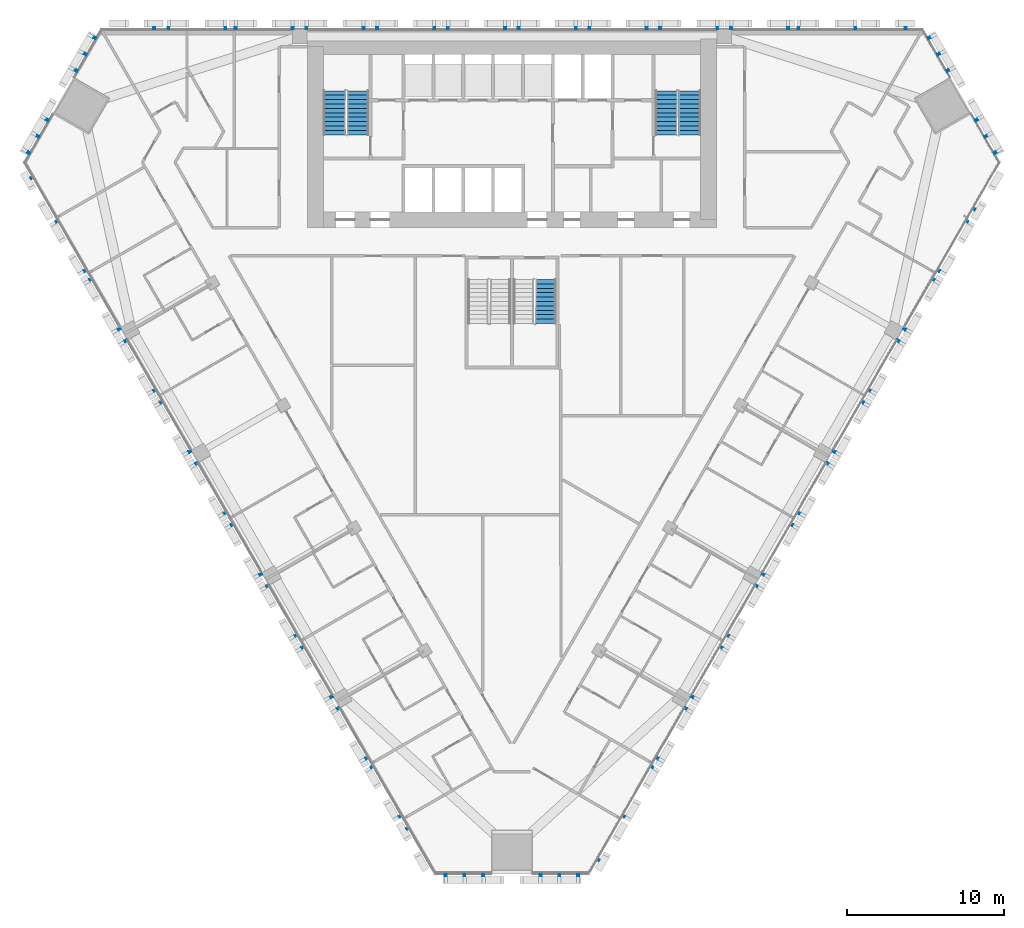
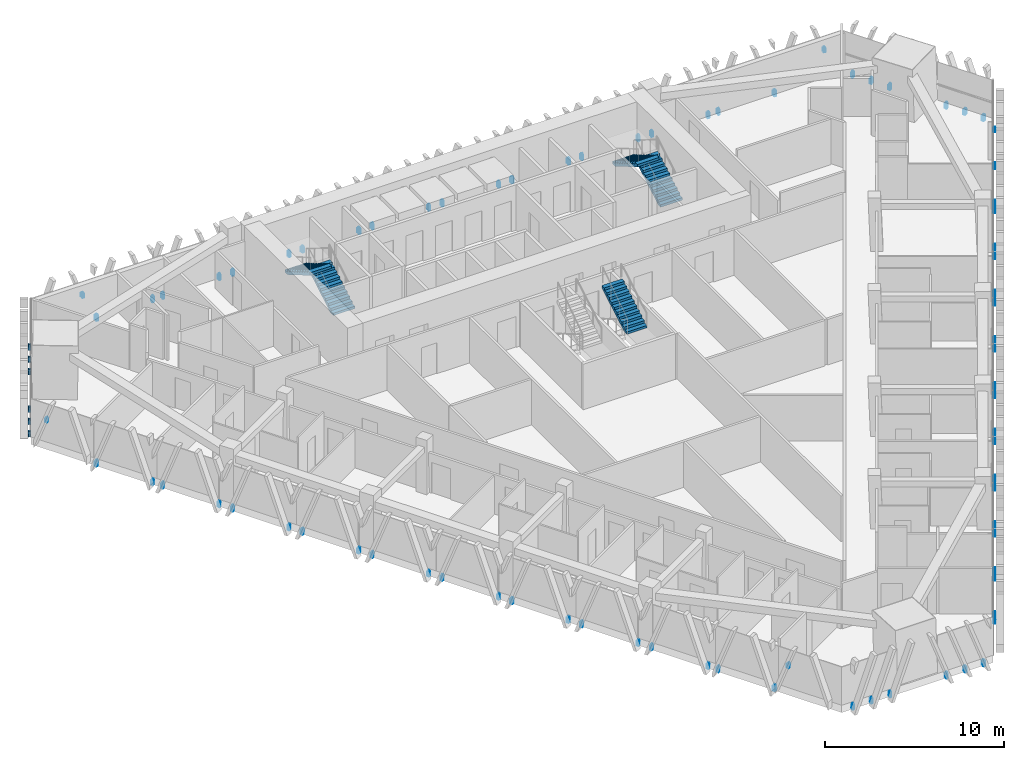
# One storey, part 15 of 18: 6 discrete accessories, 5 stair flights, 3 elements without a shape of their own.
"""IFC4 building model written with IfcOpenShell, lengths in metres."""

from ifc_helpers import new_model, si_unit, direction, frame, origin, place, context, subcontext, project, spatial, polyline, outline, extrude, source, transform, mapped, material, type_object, element, aggregate, save


model = new_model("IFC4")

# Units and contexts
model_context = context("Model", 3, precision=1e-05, world=origin(), true_north=direction((0.0, 1.0)))
body_context = subcontext(model_context, "Body", "Model", "MODEL_VIEW")
ifc_project = project(units=[si_unit("LENGTHUNIT", "METRE"), si_unit("AREAUNIT", "SQUARE_METRE"), si_unit("VOLUMEUNIT", "CUBIC_METRE"), si_unit("PLANEANGLEUNIT", "RADIAN"), si_unit("MASSUNIT", "GRAM", prefix="KILO")], contexts=[model_context])

# Site, building, storey
site_placement = place(None, origin())
site = spatial("IfcSite", under=ifc_project, at=site_placement, CompositionType="ELEMENT")
building_placement = place(site_placement, origin())
building = spatial("IfcBuilding", under=site, at=building_placement, Name="Altiplano Prism Tower", CompositionType="ELEMENT")
storey_placement = place(building_placement, frame((0.0, 0.0, 37.800048828125)))
storey = spatial("IfcBuildingStorey", under=building, at=storey_placement, Name="L08", CompositionType="ELEMENT", Elevation=37.800048828125)

# Stair, stair flights
ifc_material_1 = material(Name="Concrete C40/50", Category="concrete")
stair_type_1 = type_object("IfcStairType", Name="Exit stair 1400", PredefinedType="HALF_TURN_STAIR", material=ifc_material_1)
stair_1_placement = place(storey_placement, origin())
stair_1 = element("IfcStair", 1, at=stair_1_placement, inside=storey, type_object=stair_type_1, Name="L08 Exit Stair 1", PredefinedType="HALF_TURN_STAIR")
stair_flight_type = type_object("IfcStairFlightType", Name="Stair flight concrete 150", PredefinedType="STRAIGHT", material=ifc_material_1)
stair_flight_1_placement = place(storey_placement, frame((75.199951171875, 98.300048828125, 0.0), z_axis=(0.0, 0.0, 1.0), x_axis=(0.0, 1.0, 0.0)))
stair_flight_1 = element("IfcStairFlight", 2, at=stair_flight_1_placement, type_object=stair_flight_type, Name="ST1 flight 1", NumberOfRisers=11, NumberOfTreads=10, PredefinedType="STRAIGHT", RiserHeight=0.163636364, TreadLength=0.28, context=body_context, shape_type="SweptSolid", body=[
    extrude(outline(polyline([(0.0, 0.0), (0.0, 0.16357421875), (0.280029296875, 0.16357421875), (0.280029296875, 0.327392578125), (0.56005859375, 0.327392578125), (0.56005859375, 0.490966796875), (0.840087890625, 0.490966796875), (0.840087890625, 0.654541015625), (1.1201171875, 0.654541015625), (1.1201171875, 0.818115234375), (1.39990234375, 0.818115234375), (1.39990234375, 0.98193359375), (1.679931640625, 0.98193359375), (1.679931640625, 1.1455078125), (1.9599609375, 1.1455078125), (1.9599609375, 1.30908203125), (2.239990234375, 1.30908203125), (2.239990234375, 1.47265625), (2.52001953125, 1.47265625), (2.52001953125, 1.636474609375), (2.800048828125, 1.636474609375), (2.800048828125, 1.800048828125), (2.800048828125, 1.462646484375), (0.297119140625, 0.0), (0.0, 0.0)])), frame((0.0, 0.699951171875, 0.0), z_axis=(0.0, -1.0, 0.0), x_axis=(1.0, 0.0, 0.0)), (0.0, 0.0, 1.0), 1.39990234375),
])
stair_flight_2_placement = place(storey_placement, frame((73.699951171875, 101.10009765625, 1.800048828125), z_axis=(0.0, 0.0, 1.0), x_axis=(0.0, -1.0, 0.0)))
stair_flight_2 = element("IfcStairFlight", 3, at=stair_flight_2_placement, type_object=stair_flight_type, Name="ST1 flight 2", NumberOfRisers=11, NumberOfTreads=10, PredefinedType="STRAIGHT", RiserHeight=0.163636364, TreadLength=0.28, context=body_context, shape_type="SweptSolid", body=[
    extrude(outline(polyline([(0.0, 0.0), (0.0, 0.16357421875), (0.280029296875, 0.16357421875), (0.280029296875, 0.327392578125), (0.56005859375, 0.327392578125), (0.56005859375, 0.490966796875), (0.840087890625, 0.490966796875), (0.840087890625, 0.654541015625), (1.1201171875, 0.654541015625), (1.1201171875, 0.818115234375), (1.39990234375, 0.818115234375), (1.39990234375, 0.98193359375), (1.679931640625, 0.98193359375), (1.679931640625, 1.1455078125), (1.9599609375, 1.1455078125), (1.9599609375, 1.30908203125), (2.239990234375, 1.30908203125), (2.239990234375, 1.47265625), (2.52001953125, 1.47265625), (2.52001953125, 1.636474609375), (2.800048828125, 1.636474609375), (2.800048828125, 1.800048828125), (2.800048828125, 1.462646484375), (0.297119140625, 0.0), (0.0, 0.0)])), frame((0.0, 0.699951171875, 0.0), z_axis=(0.0, -1.0, 0.0), x_axis=(1.0, 0.0, 0.0)), (0.0, 0.0, 1.0), 1.39990234375),
])
aggregate(stair_1, [stair_flight_1, stair_flight_2])

stair_2_placement = place(storey_placement, origin())
stair_2 = element("IfcStair", 4, at=stair_2_placement, inside=storey, type_object=stair_type_1, Name="L08 Exit Stair 2", PredefinedType="HALF_TURN_STAIR")
stair_flight_3_placement = place(storey_placement, frame((96.300048828125, 98.300048828125, 0.0), z_axis=(0.0, 0.0, 1.0), x_axis=(0.0, 1.0, 0.0)))
stair_flight_3 = element("IfcStairFlight", 5, at=stair_flight_3_placement, type_object=stair_flight_type, Name="ST2 flight 1", NumberOfRisers=11, NumberOfTreads=10, PredefinedType="STRAIGHT", RiserHeight=0.163636364, TreadLength=0.28, context=body_context, shape_type="SweptSolid", body=[
    extrude(outline(polyline([(0.0, 0.0), (0.0, 0.16357421875), (0.280029296875, 0.16357421875), (0.280029296875, 0.327392578125), (0.56005859375, 0.327392578125), (0.56005859375, 0.490966796875), (0.840087890625, 0.490966796875), (0.840087890625, 0.654541015625), (1.1201171875, 0.654541015625), (1.1201171875, 0.818115234375), (1.39990234375, 0.818115234375), (1.39990234375, 0.98193359375), (1.679931640625, 0.98193359375), (1.679931640625, 1.1455078125), (1.9599609375, 1.1455078125), (1.9599609375, 1.30908203125), (2.239990234375, 1.30908203125), (2.239990234375, 1.47265625), (2.52001953125, 1.47265625), (2.52001953125, 1.636474609375), (2.800048828125, 1.636474609375), (2.800048828125, 1.800048828125), (2.800048828125, 1.462646484375), (0.297119140625, 0.0), (0.0, 0.0)])), frame((0.0, 0.699951171875, 0.0), z_axis=(0.0, -1.0, 0.0), x_axis=(1.0, 0.0, 0.0)), (0.0, 0.0, 1.0), 1.39990234375),
])
stair_flight_4_placement = place(storey_placement, frame((94.800048828125, 101.10009765625, 1.800048828125), z_axis=(0.0, 0.0, 1.0), x_axis=(0.0, -1.0, 0.0)))
stair_flight_4 = element("IfcStairFlight", 6, at=stair_flight_4_placement, type_object=stair_flight_type, Name="ST2 flight 2", NumberOfRisers=11, NumberOfTreads=10, PredefinedType="STRAIGHT", RiserHeight=0.163636364, TreadLength=0.28, context=body_context, shape_type="SweptSolid", body=[
    extrude(outline(polyline([(0.0, 0.0), (0.0, 0.16357421875), (0.280029296875, 0.16357421875), (0.280029296875, 0.327392578125), (0.56005859375, 0.327392578125), (0.56005859375, 0.490966796875), (0.840087890625, 0.490966796875), (0.840087890625, 0.654541015625), (1.1201171875, 0.654541015625), (1.1201171875, 0.818115234375), (1.39990234375, 0.818115234375), (1.39990234375, 0.98193359375), (1.679931640625, 0.98193359375), (1.679931640625, 1.1455078125), (1.9599609375, 1.1455078125), (1.9599609375, 1.30908203125), (2.239990234375, 1.30908203125), (2.239990234375, 1.47265625), (2.52001953125, 1.47265625), (2.52001953125, 1.636474609375), (2.800048828125, 1.636474609375), (2.800048828125, 1.800048828125), (2.800048828125, 1.462646484375), (0.297119140625, 0.0), (0.0, 0.0)])), frame((0.0, 0.699951171875, 0.0), z_axis=(0.0, -1.0, 0.0), x_axis=(1.0, 0.0, 0.0)), (0.0, 0.0, 1.0), 1.39990234375),
])
aggregate(stair_2, [stair_flight_3, stair_flight_4])

# Stair, stair flight
stair_type_2 = type_object("IfcStairType", Name="Exit stair 1300", PredefinedType="HALF_TURN_STAIR", material=ifc_material_1)
stair_3_placement = place(storey_placement, origin())
stair_3 = element("IfcStair", 7, at=stair_3_placement, inside=storey, type_object=stair_type_2, Name="L08 Exit Stair 3B", PredefinedType="HALF_TURN_STAIR")
stair_flight_5_placement = place(storey_placement, frame((87.14990234375, 86.300048828125, 1.800048828125), z_axis=(0.0, 0.0, 1.0), x_axis=(0.0, 1.0, 0.0)))
stair_flight_5 = element("IfcStairFlight", 8, at=stair_flight_5_placement, type_object=stair_flight_type, Name="ST3B flight 2", NumberOfRisers=11, NumberOfTreads=10, PredefinedType="STRAIGHT", RiserHeight=0.163636364, TreadLength=0.28, context=body_context, shape_type="SweptSolid", body=[
    extrude(outline(polyline([(0.0, 0.0), (0.0, 0.16357421875), (0.280029296875, 0.16357421875), (0.280029296875, 0.327392578125), (0.56005859375, 0.327392578125), (0.56005859375, 0.490966796875), (0.840087890625, 0.490966796875), (0.840087890625, 0.654541015625), (1.1201171875, 0.654541015625), (1.1201171875, 0.818115234375), (1.39990234375, 0.818115234375), (1.39990234375, 0.98193359375), (1.679931640625, 0.98193359375), (1.679931640625, 1.1455078125), (1.9599609375, 1.1455078125), (1.9599609375, 1.30908203125), (2.239990234375, 1.30908203125), (2.239990234375, 1.47265625), (2.52001953125, 1.47265625), (2.52001953125, 1.636474609375), (2.800048828125, 1.636474609375), (2.800048828125, 1.800048828125), (2.800048828125, 1.462646484375), (0.297119140625, 0.0), (0.0, 0.0)])), frame((0.0, 0.64990234375, 0.0), z_axis=(0.0, -1.0, 0.0), x_axis=(1.0, 0.0, 0.0)), (0.0, 0.0, 1.0), 1.300048828125),
])
aggregate(stair_3, [stair_flight_5])

# Discrete accessories
ifc_material_2 = material(Name="Stainless steel", Category="steel")
discrete_accessory_type = type_object("IfcDiscreteAccessoryType", Name="Stone fin fixing prongs", PredefinedType="USERDEFINED", material=ifc_material_2)
shared_shape_1 = source(origin(), body_context, "Body", "SweptSolid", [
    extrude(outline(polyline([(-1.21142578125, 1.934814453125), (-1.091552734375, 1.934814453125), (-1.091552734375, 2.234619140625), (-1.21142578125, 2.234619140625), (-1.21142578125, 1.934814453125)])), frame((0.0, 0.0, 0.0), z_axis=(0.0, -1.0, 0.0), x_axis=(1.0, 0.0, 0.0)), (0.0, 0.0, 1.0), 0.14990234375),
])
shared_shape_2 = source(origin(), body_context, "Body", "SweptSolid", [
    extrude(outline(polyline([(-1.86962890625, 0.06005859375), (-1.74951171875, 0.06005859375), (-1.74951171875, 0.43994140625), (-1.86962890625, 0.43994140625), (-1.86962890625, 0.06005859375)])), frame((0.0, 0.0, 0.0), z_axis=(0.0, -1.0, 0.0), x_axis=(1.0, 0.0, 0.0)), (0.0, 0.0, 1.0), 0.14990234375),
    extrude(outline(polyline([(1.74951171875, 0.06005859375), (1.86962890625, 0.06005859375), (1.86962890625, 0.43994140625), (1.74951171875, 0.43994140625), (1.74951171875, 0.06005859375)])), frame((0.0, 0.0, 0.0), z_axis=(0.0, -1.0, 0.0), x_axis=(1.0, 0.0, 0.0)), (0.0, 0.0, 1.0), 0.14990234375),
])
shared_shape_3 = source(origin(), body_context, "Body", "SweptSolid", [
    extrude(outline(polyline([(-1.87939453125, 0.06005859375), (-1.75927734375, 0.06005859375), (-1.75927734375, 0.43994140625), (-1.87939453125, 0.43994140625), (-1.87939453125, 0.06005859375)])), frame((0.0, 0.0, 0.0), z_axis=(0.0, -1.0, 0.0), x_axis=(1.0, 0.0, 0.0)), (0.0, 0.0, 1.0), 0.14990234375),
    extrude(outline(polyline([(1.75927734375, 0.06005859375), (1.87939453125, 0.06005859375), (1.87939453125, 0.43994140625), (1.75927734375, 0.43994140625), (1.75927734375, 0.06005859375)])), frame((0.0, 0.0, 0.0), z_axis=(0.0, -1.0, 0.0), x_axis=(1.0, 0.0, 0.0)), (0.0, 0.0, 1.0), 0.14990234375),
])
discrete_accessory_1_placement = place(storey_placement, origin())
element("IfcDiscreteAccessory", 9, at=discrete_accessory_1_placement, inside=storey, type_object=discrete_accessory_type, Name="Fin fixings L08 north face", ObjectType="BRACKET", PredefinedType="USERDEFINED", context=body_context, shape_type="MappedRepresentation", body=[
    mapped(shared_shape_1, transform((108.89306640625, 105.0, -0.5), x_axis=(-1.0, 0.0, 0.0), y_axis=(0.0, -1.0, 0.0), z_axis=(0.0, 0.0, 1.0))),
    mapped(shared_shape_2, transform((105.031005859375, 105.0, -0.5), x_axis=(-1.0, 0.0, 0.0), y_axis=(0.0, -1.0, 0.0), z_axis=(0.0, 0.0, 1.0))),
    mapped(shared_shape_3, transform((100.75, 105.0, -0.5), x_axis=(-1.0, 0.0, 0.0), y_axis=(0.0, -1.0, 0.0), z_axis=(0.0, 0.0, 1.0))),
    mapped(shared_shape_3, transform((96.25, 105.0, -0.5), x_axis=(-1.0, 0.0, 0.0), y_axis=(0.0, -1.0, 0.0), z_axis=(0.0, 0.0, 1.0))),
    mapped(shared_shape_3, transform((91.75, 105.0, -0.5), x_axis=(-1.0, 0.0, 0.0), y_axis=(0.0, -1.0, 0.0), z_axis=(0.0, 0.0, 1.0))),
    mapped(shared_shape_3, transform((87.25, 105.0, -0.5), x_axis=(-1.0, 0.0, 0.0), y_axis=(0.0, -1.0, 0.0), z_axis=(0.0, 0.0, 1.0))),
    mapped(shared_shape_3, transform((82.75, 105.0, -0.5), x_axis=(-1.0, 0.0, 0.0), y_axis=(0.0, -1.0, 0.0), z_axis=(0.0, 0.0, 1.0))),
    mapped(shared_shape_3, transform((78.25, 105.0, -0.5), x_axis=(-1.0, 0.0, 0.0), y_axis=(0.0, -1.0, 0.0), z_axis=(0.0, 0.0, 1.0))),
    mapped(shared_shape_3, transform((73.75, 105.0, -0.5), x_axis=(-1.0, 0.0, 0.0), y_axis=(0.0, -1.0, 0.0), z_axis=(0.0, 0.0, 1.0))),
    mapped(shared_shape_3, transform((69.25, 105.0, -0.5), x_axis=(-1.0, 0.0, 0.0), y_axis=(0.0, -1.0, 0.0), z_axis=(0.0, 0.0, 1.0))),
    mapped(shared_shape_2, transform((64.968994140625, 105.0, -0.5), x_axis=(-1.0, 0.0, 0.0), y_axis=(0.0, -1.0, 0.0), z_axis=(0.0, 0.0, 1.0))),
    mapped(shared_shape_1, transform((61.10693359375, 105.0, -0.5), x_axis=(-1.0, 0.0, 0.0), y_axis=(0.0, -1.0, 0.0), z_axis=(0.0, 0.0, 1.0))),
])
discrete_accessory_2_placement = place(storey_placement, origin())
element("IfcDiscreteAccessory", 10, at=discrete_accessory_2_placement, inside=storey, type_object=discrete_accessory_type, Name="Fin fixings L08 south-west face", ObjectType="BRACKET", PredefinedType="USERDEFINED", context=body_context, shape_type="MappedRepresentation", body=[
    mapped(shared_shape_1, transform((55.10693359375, 94.607666015625, -0.5), x_axis=(0.499999990242, -0.866025409418, 0.0), y_axis=(0.866025409418, 0.499999990242, 0.0), z_axis=(0.0, 0.0, 1.0))),
    mapped(shared_shape_2, transform((57.037841796875, 91.262939453125, -0.5), x_axis=(0.499999990242, -0.866025409418, 0.0), y_axis=(0.866025409418, 0.499999990242, 0.0), z_axis=(0.0, 0.0, 1.0))),
    mapped(shared_shape_3, transform((59.178466796875, 87.555419921875, -0.5), x_axis=(0.499999990242, -0.866025409418, 0.0), y_axis=(0.866025409418, 0.499999990242, 0.0), z_axis=(0.0, 0.0, 1.0))),
    mapped(shared_shape_3, transform((61.428466796875, 83.658447265625, -0.5), x_axis=(0.499999990242, -0.866025409418, 0.0), y_axis=(0.866025409418, 0.499999990242, 0.0), z_axis=(0.0, 0.0, 1.0))),
    mapped(shared_shape_3, transform((63.678466796875, 79.76123046875, -0.5), x_axis=(0.499999990242, -0.866025409418, 0.0), y_axis=(0.866025409418, 0.499999990242, 0.0), z_axis=(0.0, 0.0, 1.0))),
    mapped(shared_shape_3, transform((65.928466796875, 75.8642578125, -0.5), x_axis=(0.499999990242, -0.866025409418, 0.0), y_axis=(0.866025409418, 0.499999990242, 0.0), z_axis=(0.0, 0.0, 1.0))),
    mapped(shared_shape_3, transform((68.178466796875, 71.967041015625, -0.5), x_axis=(0.499999990242, -0.866025409418, 0.0), y_axis=(0.866025409418, 0.499999990242, 0.0), z_axis=(0.0, 0.0, 1.0))),
    mapped(shared_shape_3, transform((70.428466796875, 68.070068359375, -0.5), x_axis=(0.499999990242, -0.866025409418, 0.0), y_axis=(0.866025409418, 0.499999990242, 0.0), z_axis=(0.0, 0.0, 1.0))),
    mapped(shared_shape_3, transform((72.678466796875, 64.1728515625, -0.5), x_axis=(0.499999990242, -0.866025409418, 0.0), y_axis=(0.866025409418, 0.499999990242, 0.0), z_axis=(0.0, 0.0, 1.0))),
    mapped(shared_shape_3, transform((74.928466796875, 60.275634765625, -0.5), x_axis=(0.499999990242, -0.866025409418, 0.0), y_axis=(0.866025409418, 0.499999990242, 0.0), z_axis=(0.0, 0.0, 1.0))),
    mapped(shared_shape_2, transform((77.06884765625, 56.568359375, -0.5), x_axis=(0.499999990242, -0.866025409418, 0.0), y_axis=(0.866025409418, 0.499999990242, 0.0), z_axis=(0.0, 0.0, 1.0))),
    mapped(shared_shape_1, transform((79.0, 53.2236328125, -0.5), x_axis=(0.499999990242, -0.866025409418, 0.0), y_axis=(0.866025409418, 0.499999990242, 0.0), z_axis=(0.0, 0.0, 1.0))),
])
discrete_accessory_3_placement = place(storey_placement, origin())
element("IfcDiscreteAccessory", 11, at=discrete_accessory_3_placement, inside=storey, type_object=discrete_accessory_type, Name="Fin fixings L08 south-east face", ObjectType="BRACKET", PredefinedType="USERDEFINED", context=body_context, shape_type="MappedRepresentation", body=[
    mapped(shared_shape_1, transform((91.0, 53.2236328125, -0.5), x_axis=(0.499999990242, 0.866025409418, 0.0), y_axis=(-0.866025409418, 0.499999990242, 0.0), z_axis=(0.0, 0.0, 1.0))),
    mapped(shared_shape_2, transform((92.93115234375, 56.568359375, -0.5), x_axis=(0.499999990242, 0.866025409418, 0.0), y_axis=(-0.866025409418, 0.499999990242, 0.0), z_axis=(0.0, 0.0, 1.0))),
    mapped(shared_shape_3, transform((95.071533203125, 60.275634765625, -0.5), x_axis=(0.499999990242, 0.866025409418, 0.0), y_axis=(-0.866025409418, 0.499999990242, 0.0), z_axis=(0.0, 0.0, 1.0))),
    mapped(shared_shape_3, transform((97.321533203125, 64.1728515625, -0.5), x_axis=(0.499999990242, 0.866025409418, 0.0), y_axis=(-0.866025409418, 0.499999990242, 0.0), z_axis=(0.0, 0.0, 1.0))),
    mapped(shared_shape_3, transform((99.571533203125, 68.070068359375, -0.5), x_axis=(0.499999990242, 0.866025409418, 0.0), y_axis=(-0.866025409418, 0.499999990242, 0.0), z_axis=(0.0, 0.0, 1.0))),
    mapped(shared_shape_3, transform((101.821533203125, 71.967041015625, -0.5), x_axis=(0.499999990242, 0.866025409418, 0.0), y_axis=(-0.866025409418, 0.499999990242, 0.0), z_axis=(0.0, 0.0, 1.0))),
    mapped(shared_shape_3, transform((104.071533203125, 75.8642578125, -0.5), x_axis=(0.499999990242, 0.866025409418, 0.0), y_axis=(-0.866025409418, 0.499999990242, 0.0), z_axis=(0.0, 0.0, 1.0))),
    mapped(shared_shape_3, transform((106.321533203125, 79.76123046875, -0.5), x_axis=(0.499999990242, 0.866025409418, 0.0), y_axis=(-0.866025409418, 0.499999990242, 0.0), z_axis=(0.0, 0.0, 1.0))),
    mapped(shared_shape_3, transform((108.571533203125, 83.658447265625, -0.5), x_axis=(0.499999990242, 0.866025409418, 0.0), y_axis=(-0.866025409418, 0.499999990242, 0.0), z_axis=(0.0, 0.0, 1.0))),
    mapped(shared_shape_3, transform((110.821533203125, 87.555419921875, -0.5), x_axis=(0.499999990242, 0.866025409418, 0.0), y_axis=(-0.866025409418, 0.499999990242, 0.0), z_axis=(0.0, 0.0, 1.0))),
    mapped(shared_shape_2, transform((112.962158203125, 91.262939453125, -0.5), x_axis=(0.499999990242, 0.866025409418, 0.0), y_axis=(-0.866025409418, 0.499999990242, 0.0), z_axis=(0.0, 0.0, 1.0))),
    mapped(shared_shape_1, transform((114.89306640625, 94.607666015625, -0.5), x_axis=(0.499999990242, 0.866025409418, 0.0), y_axis=(-0.866025409418, 0.499999990242, 0.0), z_axis=(0.0, 0.0, 1.0))),
])
shared_shape_4 = source(origin(), body_context, "Body", "SweptSolid", [
    extrude(outline(polyline([(-4.279296875, 0.06005859375), (-4.1591796875, 0.06005859375), (-4.1591796875, 0.43994140625), (-4.279296875, 0.43994140625), (-4.279296875, 0.06005859375)])), frame((0.0, 0.0, 0.0), z_axis=(0.0, -1.0, 0.0), x_axis=(1.0, 0.0, 0.0)), (0.0, 0.0, 1.0), 0.14990234375),
    extrude(outline(polyline([(-3.079345703125, 0.06005859375), (-2.959228515625, 0.06005859375), (-2.959228515625, 0.43994140625), (-3.079345703125, 0.43994140625), (-3.079345703125, 0.06005859375)])), frame((0.0, 0.0, 0.0), z_axis=(0.0, -1.0, 0.0), x_axis=(1.0, 0.0, 0.0)), (0.0, 0.0, 1.0), 0.14990234375),
    extrude(outline(polyline([(-1.87939453125, 0.06005859375), (-1.75927734375, 0.06005859375), (-1.75927734375, 0.43994140625), (-1.87939453125, 0.43994140625), (-1.87939453125, 0.06005859375)])), frame((0.0, 0.0, 0.0), z_axis=(0.0, -1.0, 0.0), x_axis=(1.0, 0.0, 0.0)), (0.0, 0.0, 1.0), 0.14990234375),
    extrude(outline(polyline([(1.75927734375, 0.06005859375), (1.87939453125, 0.06005859375), (1.87939453125, 0.43994140625), (1.75927734375, 0.43994140625), (1.75927734375, 0.06005859375)])), frame((0.0, 0.0, 0.0), z_axis=(0.0, -1.0, 0.0), x_axis=(1.0, 0.0, 0.0)), (0.0, 0.0, 1.0), 0.14990234375),
    extrude(outline(polyline([(2.959228515625, 0.06005859375), (3.079345703125, 0.06005859375), (3.079345703125, 0.43994140625), (2.959228515625, 0.43994140625), (2.959228515625, 0.06005859375)])), frame((0.0, 0.0, 0.0), z_axis=(0.0, -1.0, 0.0), x_axis=(1.0, 0.0, 0.0)), (0.0, 0.0, 1.0), 0.14990234375),
    extrude(outline(polyline([(4.1591796875, 0.06005859375), (4.279296875, 0.06005859375), (4.279296875, 0.43994140625), (4.1591796875, 0.43994140625), (4.1591796875, 0.06005859375)])), frame((0.0, 0.0, 0.0), z_axis=(0.0, -1.0, 0.0), x_axis=(1.0, 0.0, 0.0)), (0.0, 0.0, 1.0), 0.14990234375),
])
discrete_accessory_4_placement = place(storey_placement, origin())
element("IfcDiscreteAccessory", 12, at=discrete_accessory_4_placement, inside=storey, type_object=discrete_accessory_type, Name="Fin fixings L08 north-west chamfer", ObjectType="BRACKET", PredefinedType="USERDEFINED", context=body_context, shape_type="MappedRepresentation", body=[
    mapped(shared_shape_4, transform((56.43359375, 100.769775390625, -0.5), x_axis=(-0.500000004956, -0.866025400923, 0.0), y_axis=(0.866025400923, -0.500000004956, 0.0), z_axis=(0.0, 0.0, 1.0))),
])
discrete_accessory_5_placement = place(storey_placement, origin())
element("IfcDiscreteAccessory", 13, at=discrete_accessory_5_placement, inside=storey, type_object=discrete_accessory_type, Name="Fin fixings L08 south chamfer", ObjectType="BRACKET", PredefinedType="USERDEFINED", context=body_context, shape_type="MappedRepresentation", body=[
    mapped(shared_shape_4, transform((85.0, 51.29150390625, -0.5), x_axis=(1.0, 0.0, 0.0), y_axis=(0.0, 1.0, 0.0), z_axis=(0.0, 0.0, 1.0))),
])
discrete_accessory_6_placement = place(storey_placement, origin())
element("IfcDiscreteAccessory", 14, at=discrete_accessory_6_placement, inside=storey, type_object=discrete_accessory_type, Name="Fin fixings L08 north-east chamfer", ObjectType="BRACKET", PredefinedType="USERDEFINED", context=body_context, shape_type="MappedRepresentation", body=[
    mapped(shared_shape_4, transform((113.56640625, 100.769775390625, -0.5), x_axis=(-0.500000004956, 0.866025400923, 0.0), y_axis=(-0.866025400923, -0.500000004956, 0.0), z_axis=(0.0, 0.0, 1.0))),
])

save(model, "model.ifc")
